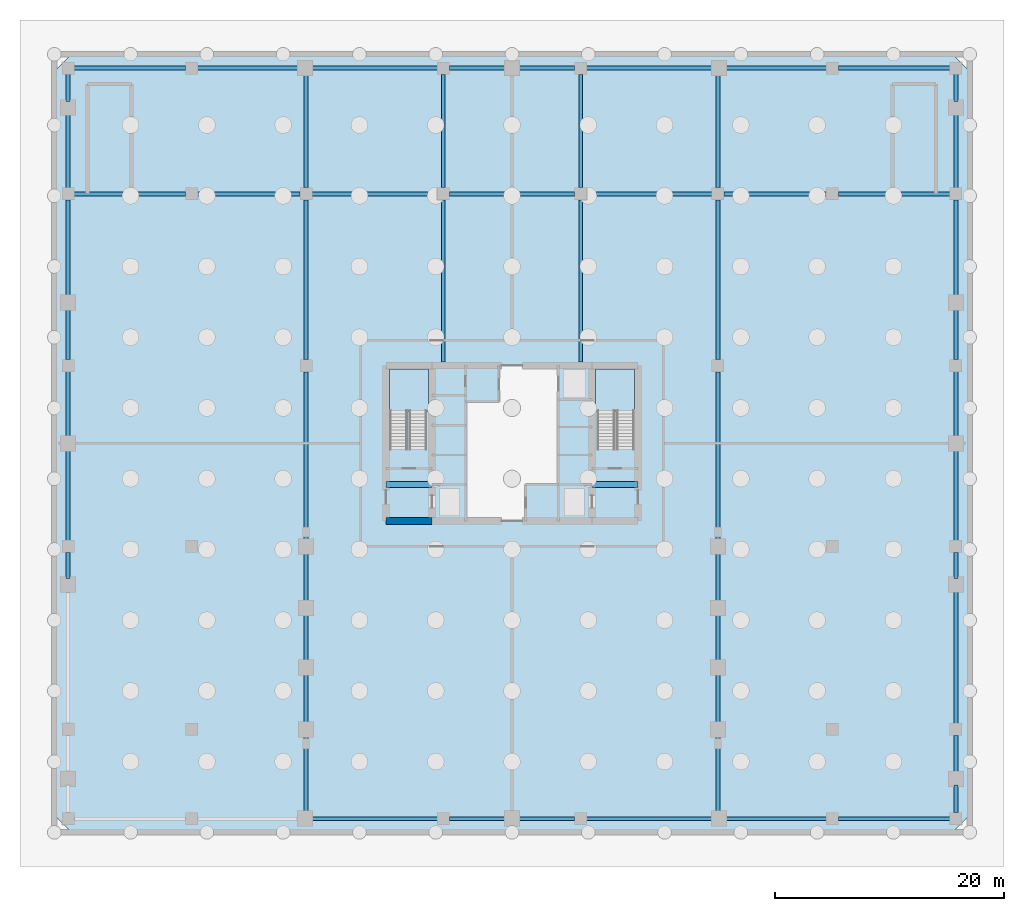
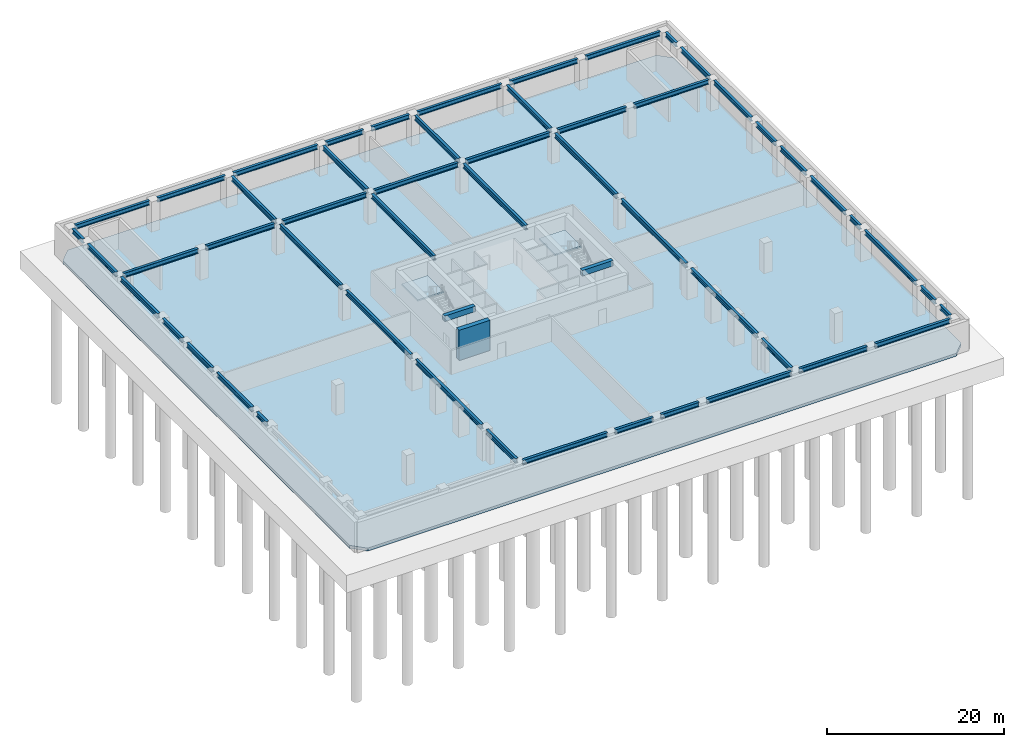
# One storey, part 2 of 8: 54 beams, 3 slabs, 1 wall, 2 elements without a shape of their own.
"""IFC4 building model written with IfcOpenShell, lengths in metres."""

from ifc_helpers import new_model, si_unit, direction, frame, frame_2d, origin, origin_2d, place, context, subcontext, project, spatial, polyline, rectangle, i_section, outline, extrude, material, layer, layer_set, material_profile, profile_set, type_object, element, aggregate, save


model = new_model("IFC4")

# Units and contexts
model_context = context("Model", 3, precision=1e-05, world=origin(), true_north=direction((0.0, 1.0)))
body_context = subcontext(model_context, "Body", "Model", "MODEL_VIEW")
ifc_project = project(units=[si_unit("LENGTHUNIT", "METRE"), si_unit("AREAUNIT", "SQUARE_METRE"), si_unit("VOLUMEUNIT", "CUBIC_METRE"), si_unit("PLANEANGLEUNIT", "RADIAN"), si_unit("MASSUNIT", "GRAM", prefix="KILO")], contexts=[model_context])

# Site, building, storey
site_placement = place(None, origin())
site = spatial("IfcSite", under=ifc_project, at=site_placement, CompositionType="ELEMENT")
building_placement = place(site_placement, origin())
building = spatial("IfcBuilding", under=site, at=building_placement, Name="Sarneth Arch Tower", CompositionType="ELEMENT")
storey_placement = place(building_placement, frame((0.0, 0.0, -9.0)))
storey = spatial("IfcBuildingStorey", under=building, at=storey_placement, Name="B02", CompositionType="ELEMENT", Elevation=-9.0)

# Beams
ifc_material_1 = material(Name="Concrete C50/60", Category="concrete")
ifc_material_profile_1 = material_profile(ifc_material_1, rectangle(XDim=0.5, YDim=0.75, at=origin_2d()), Name="RC-500x750")
ifc_profile_set_1 = profile_set([ifc_material_profile_1], Name="Concrete C50/60")
beam_type_1 = type_object("IfcBeamType", Name="BM-LINTEL-RC", PredefinedType="LINTEL", material=ifc_profile_set_1)
for number, where, z_axis, x_axis, name in (
    (1, (37.0, 38.39990234375, 3.804931640625), (1.0, 0.0, 0.0), (0.0, 1.0, 0.0), "B02 Core coupling lintel W"),
    (2, (55.0, 38.39990234375, 3.804931640625), (1.0, 0.0, 0.0), (0.0, 1.0, 0.0), "B02 Core coupling lintel E"),
):
    element("IfcBeam", number, at=place(storey_placement, frame(where, z_axis=z_axis, x_axis=x_axis)), inside=storey, type_object=beam_type_1, Name=name, PredefinedType="LINTEL", context=body_context, shape_type="SweptSolid", body=[
        extrude(rectangle(XDim=0.5, YDim=0.75, at=origin_2d()), origin(), (0.0, 0.0, 1.0), 4.0),
    ])
ifc_material_2 = material(Name="Steel S355", Category="steel")
ifc_material_profile_2 = material_profile(ifc_material_2, i_section(OverallWidth=0.3291015625, OverallDepth=0.635009765625, WebThickness=0.017822265625, FlangeThickness=0.031005859375, FilletRadius=0.01904296875, at=origin_2d()), Name="W610x241")
ifc_profile_set_2 = profile_set([ifc_material_profile_2], Name="Steel S355")
beam_type_2 = type_object("IfcBeamType", Name="BM-POD-610", PredefinedType="BEAM", material=ifc_profile_set_2)
beam_1_placement = place(storey_placement, frame((9.719970703125, 74.800048828125, 3.862548828125), z_axis=(1.0, 0.0, 0.0), x_axis=(0.0, 1.0, 0.0)))
element("IfcBeam", 3, at=beam_1_placement, inside=storey, type_object=beam_type_2, Name="B02 Podium PN girder 1", PredefinedType="BEAM", context=body_context, shape_type="SweptSolid", body=[
    extrude(i_section(OverallWidth=0.3291015625, OverallDepth=0.635009765625, WebThickness=0.017822265625, FlangeThickness=0.031005859375, FilletRadius=0.01904296875, at=origin_2d()), origin(), (0.0, 0.0, 1.0), 9.760009765625),
])
beam_2_placement = place(storey_placement, frame((20.52001953125, 74.800048828125, 3.862548828125), z_axis=(1.0, 0.0, 0.0), x_axis=(0.0, 1.0, 0.0)))
element("IfcBeam", 4, at=beam_2_placement, inside=storey, type_object=beam_type_2, Name="B02 Podium PN girder 2", PredefinedType="BEAM", context=body_context, shape_type="SweptSolid", body=[
    extrude(i_section(OverallWidth=0.3291015625, OverallDepth=0.635009765625, WebThickness=0.017822265625, FlangeThickness=0.031005859375, FilletRadius=0.01904296875, at=origin_2d()), origin(), (0.0, 0.0, 1.0), 8.87548828125),
])
beam_3_placement = place(storey_placement, frame((30.435546875, 74.800048828125, 3.862548828125), z_axis=(1.0, 0.0, 0.0), x_axis=(0.0, 1.0, 0.0)))
element("IfcBeam", 5, at=beam_3_placement, inside=storey, type_object=beam_type_2, Name="B02 Podium PN girder 3", PredefinedType="BEAM", context=body_context, shape_type="SweptSolid", body=[
    extrude(i_section(OverallWidth=0.3291015625, OverallDepth=0.635009765625, WebThickness=0.017822265625, FlangeThickness=0.031005859375, FilletRadius=0.01904296875, at=origin_2d()), origin(), (0.0, 0.0, 1.0), 11.04443359375),
])
for number, where, z_axis, x_axis, name in (
    (6, (42.52001953125, 74.800048828125, 3.862548828125), (1.0, 0.0, 0.0), (0.0, 1.0, 0.0), "B02 Podium PN girder 4"),
    (7, (48.52001953125, 74.800048828125, 3.862548828125), (1.0, 0.0, 0.0), (0.0, 1.0, 0.0), "B02 Podium PN girder 5"),
):
    element("IfcBeam", number, at=place(storey_placement, frame(where, z_axis=z_axis, x_axis=x_axis)), inside=storey, type_object=beam_type_2, Name=name, PredefinedType="BEAM", context=body_context, shape_type="SweptSolid", body=[
        extrude(i_section(OverallWidth=0.3291015625, OverallDepth=0.635009765625, WebThickness=0.017822265625, FlangeThickness=0.031005859375, FilletRadius=0.01904296875, at=origin_2d()), origin(), (0.0, 0.0, 1.0), 4.9599609375),
    ])
beam_4_placement = place(storey_placement, frame((54.52001953125, 74.800048828125, 3.862548828125), z_axis=(1.0, 0.0, 0.0), x_axis=(0.0, 1.0, 0.0)))
element("IfcBeam", 8, at=beam_4_placement, inside=storey, type_object=beam_type_2, Name="B02 Podium PN girder 6", PredefinedType="BEAM", context=body_context, shape_type="SweptSolid", body=[
    extrude(i_section(OverallWidth=0.3291015625, OverallDepth=0.635009765625, WebThickness=0.017822265625, FlangeThickness=0.031005859375, FilletRadius=0.01904296875, at=origin_2d()), origin(), (0.0, 0.0, 1.0), 11.04443359375),
])
beam_5_placement = place(storey_placement, frame((66.6044921875, 74.800048828125, 3.862548828125), z_axis=(1.0, 0.0, 0.0), x_axis=(0.0, 1.0, 0.0)))
element("IfcBeam", 9, at=beam_5_placement, inside=storey, type_object=beam_type_2, Name="B02 Podium PN girder 7", PredefinedType="BEAM", context=body_context, shape_type="SweptSolid", body=[
    extrude(i_section(OverallWidth=0.3291015625, OverallDepth=0.635009765625, WebThickness=0.017822265625, FlangeThickness=0.031005859375, FilletRadius=0.01904296875, at=origin_2d()), origin(), (0.0, 0.0, 1.0), 8.87548828125),
])
beam_6_placement = place(storey_placement, frame((76.52001953125, 74.800048828125, 3.862548828125), z_axis=(1.0, 0.0, 0.0), x_axis=(0.0, 1.0, 0.0)))
element("IfcBeam", 10, at=beam_6_placement, inside=storey, type_object=beam_type_2, Name="B02 Podium PN girder 8", PredefinedType="BEAM", context=body_context, shape_type="SweptSolid", body=[
    extrude(i_section(OverallWidth=0.3291015625, OverallDepth=0.635009765625, WebThickness=0.017822265625, FlangeThickness=0.031005859375, FilletRadius=0.01904296875, at=origin_2d()), origin(), (0.0, 0.0, 1.0), 9.760009765625),
])
beam_7_placement = place(storey_placement, frame((30.435546875, 9.199951171875, 3.862548828125), z_axis=(1.0, 0.0, 0.0), x_axis=(0.0, 1.0, 0.0)))
element("IfcBeam", 11, at=beam_7_placement, inside=storey, type_object=beam_type_2, Name="B02 Podium PS girder 3", PredefinedType="BEAM", context=body_context, shape_type="SweptSolid", body=[
    extrude(i_section(OverallWidth=0.3291015625, OverallDepth=0.635009765625, WebThickness=0.017822265625, FlangeThickness=0.031005859375, FilletRadius=0.01904296875, at=origin_2d()), origin(), (0.0, 0.0, 1.0), 11.04443359375),
])
for number, where, z_axis, x_axis, name in (
    (12, (42.52001953125, 9.199951171875, 3.862548828125), (1.0, 0.0, 0.0), (0.0, 1.0, 0.0), "B02 Podium PS girder 4"),
    (13, (48.52001953125, 9.199951171875, 3.862548828125), (1.0, 0.0, 0.0), (0.0, 1.0, 0.0), "B02 Podium PS girder 5"),
):
    element("IfcBeam", number, at=place(storey_placement, frame(where, z_axis=z_axis, x_axis=x_axis)), inside=storey, type_object=beam_type_2, Name=name, PredefinedType="BEAM", context=body_context, shape_type="SweptSolid", body=[
        extrude(i_section(OverallWidth=0.3291015625, OverallDepth=0.635009765625, WebThickness=0.017822265625, FlangeThickness=0.031005859375, FilletRadius=0.01904296875, at=origin_2d()), origin(), (0.0, 0.0, 1.0), 4.9599609375),
    ])
beam_8_placement = place(storey_placement, frame((54.52001953125, 9.199951171875, 3.862548828125), z_axis=(1.0, 0.0, 0.0), x_axis=(0.0, 1.0, 0.0)))
element("IfcBeam", 14, at=beam_8_placement, inside=storey, type_object=beam_type_2, Name="B02 Podium PS girder 6", PredefinedType="BEAM", context=body_context, shape_type="SweptSolid", body=[
    extrude(i_section(OverallWidth=0.3291015625, OverallDepth=0.635009765625, WebThickness=0.017822265625, FlangeThickness=0.031005859375, FilletRadius=0.01904296875, at=origin_2d()), origin(), (0.0, 0.0, 1.0), 11.04443359375),
])
beam_9_placement = place(storey_placement, frame((66.6044921875, 9.199951171875, 3.862548828125), z_axis=(1.0, 0.0, 0.0), x_axis=(0.0, 1.0, 0.0)))
element("IfcBeam", 15, at=beam_9_placement, inside=storey, type_object=beam_type_2, Name="B02 Podium PS girder 7", PredefinedType="BEAM", context=body_context, shape_type="SweptSolid", body=[
    extrude(i_section(OverallWidth=0.3291015625, OverallDepth=0.635009765625, WebThickness=0.017822265625, FlangeThickness=0.031005859375, FilletRadius=0.01904296875, at=origin_2d()), origin(), (0.0, 0.0, 1.0), 8.87548828125),
])
for number, where, z_axis, x_axis, name in (
    (16, (76.52001953125, 9.199951171875, 3.862548828125), (1.0, 0.0, 0.0), (0.0, 1.0, 0.0), "B02 Podium PS girder 8"),
    (17, (9.719970703125, 63.800048828125, 3.862548828125), (1.0, 0.0, 0.0), (0.0, 1.0, 0.0), "B02 Podium PC girder 1"),
):
    element("IfcBeam", number, at=place(storey_placement, frame(where, z_axis=z_axis, x_axis=x_axis)), inside=storey, type_object=beam_type_2, Name=name, PredefinedType="BEAM", context=body_context, shape_type="SweptSolid", body=[
        extrude(i_section(OverallWidth=0.3291015625, OverallDepth=0.635009765625, WebThickness=0.017822265625, FlangeThickness=0.031005859375, FilletRadius=0.01904296875, at=origin_2d()), origin(), (0.0, 0.0, 1.0), 9.760009765625),
    ])
beam_10_placement = place(storey_placement, frame((20.52001953125, 63.800048828125, 3.862548828125), z_axis=(1.0, 0.0, 0.0), x_axis=(0.0, 1.0, 0.0)))
element("IfcBeam", 18, at=beam_10_placement, inside=storey, type_object=beam_type_2, Name="B02 Podium PC girder 2", PredefinedType="BEAM", context=body_context, shape_type="SweptSolid", body=[
    extrude(i_section(OverallWidth=0.3291015625, OverallDepth=0.635009765625, WebThickness=0.017822265625, FlangeThickness=0.031005859375, FilletRadius=0.01904296875, at=origin_2d()), origin(), (0.0, 0.0, 1.0), 8.9599609375),
])
for number, where, z_axis, x_axis, name in (
    (19, (30.52001953125, 63.800048828125, 3.862548828125), (1.0, 0.0, 0.0), (0.0, 1.0, 0.0), "B02 Podium PC girder 3"),
    (20, (42.52001953125, 63.800048828125, 3.862548828125), (1.0, 0.0, 0.0), (0.0, 1.0, 0.0), "B02 Podium PC girder 4"),
    (21, (54.52001953125, 63.800048828125, 3.862548828125), (1.0, 0.0, 0.0), (0.0, 1.0, 0.0), "B02 Podium PC girder 5"),
):
    element("IfcBeam", number, at=place(storey_placement, frame(where, z_axis=z_axis, x_axis=x_axis)), inside=storey, type_object=beam_type_2, Name=name, PredefinedType="BEAM", context=body_context, shape_type="SweptSolid", body=[
        extrude(i_section(OverallWidth=0.3291015625, OverallDepth=0.635009765625, WebThickness=0.017822265625, FlangeThickness=0.031005859375, FilletRadius=0.01904296875, at=origin_2d()), origin(), (0.0, 0.0, 1.0), 10.9599609375),
    ])
beam_11_placement = place(storey_placement, frame((66.52001953125, 63.800048828125, 3.862548828125), z_axis=(1.0, 0.0, 0.0), x_axis=(0.0, 1.0, 0.0)))
element("IfcBeam", 22, at=beam_11_placement, inside=storey, type_object=beam_type_2, Name="B02 Podium PC girder 6", PredefinedType="BEAM", context=body_context, shape_type="SweptSolid", body=[
    extrude(i_section(OverallWidth=0.3291015625, OverallDepth=0.635009765625, WebThickness=0.017822265625, FlangeThickness=0.031005859375, FilletRadius=0.01904296875, at=origin_2d()), origin(), (0.0, 0.0, 1.0), 8.9599609375),
])
beam_12_placement = place(storey_placement, frame((76.52001953125, 63.800048828125, 3.862548828125), z_axis=(1.0, 0.0, 0.0), x_axis=(0.0, 1.0, 0.0)))
element("IfcBeam", 23, at=beam_12_placement, inside=storey, type_object=beam_type_2, Name="B02 Podium PC girder 7", PredefinedType="BEAM", context=body_context, shape_type="SweptSolid", body=[
    extrude(i_section(OverallWidth=0.3291015625, OverallDepth=0.635009765625, WebThickness=0.017822265625, FlangeThickness=0.031005859375, FilletRadius=0.01904296875, at=origin_2d()), origin(), (0.0, 0.0, 1.0), 9.760009765625),
])
beam_13_placement = place(storey_placement, frame((9.199951171875, 30.2021484375, 3.862548828125), z_axis=(0.0, 1.0, 0.0), x_axis=(-1.0, 0.0, 0.0)))
element("IfcBeam", 24, at=beam_13_placement, inside=storey, type_object=beam_type_2, Name="B02 Podium PW girder 4", PredefinedType="BEAM", context=body_context, shape_type="SweptSolid", body=[
    extrude(i_section(OverallWidth=0.3291015625, OverallDepth=0.635009765625, WebThickness=0.017822265625, FlangeThickness=0.031005859375, FilletRadius=0.01904296875, at=origin_2d()), origin(), (0.0, 0.0, 1.0), 2.27783203125),
])
beam_14_placement = place(storey_placement, frame((9.199951171875, 33.52001953125, 3.862548828125), z_axis=(0.0, 1.0, 0.0), x_axis=(-1.0, 0.0, 0.0)))
element("IfcBeam", 25, at=beam_14_placement, inside=storey, type_object=beam_type_2, Name="B02 Podium PW girder 5", PredefinedType="BEAM", context=body_context, shape_type="SweptSolid", body=[
    extrude(i_section(OverallWidth=0.3291015625, OverallDepth=0.635009765625, WebThickness=0.017822265625, FlangeThickness=0.031005859375, FilletRadius=0.01904296875, at=origin_2d()), origin(), (0.0, 0.0, 1.0), 7.9599609375),
])
beam_15_placement = place(storey_placement, frame((9.199951171875, 42.52001953125, 3.862548828125), z_axis=(0.0, 1.0, 0.0), x_axis=(-1.0, 0.0, 0.0)))
element("IfcBeam", 26, at=beam_15_placement, inside=storey, type_object=beam_type_2, Name="B02 Podium PW girder 6", PredefinedType="BEAM", context=body_context, shape_type="SweptSolid", body=[
    extrude(i_section(OverallWidth=0.3291015625, OverallDepth=0.635009765625, WebThickness=0.017822265625, FlangeThickness=0.031005859375, FilletRadius=0.01904296875, at=origin_2d()), origin(), (0.0, 0.0, 1.0), 5.760009765625),
])
beam_16_placement = place(storey_placement, frame((9.199951171875, 49.320068359375, 3.862548828125), z_axis=(0.0, 1.0, 0.0), x_axis=(-1.0, 0.0, 0.0)))
element("IfcBeam", 27, at=beam_16_placement, inside=storey, type_object=beam_type_2, Name="B02 Podium PW girder 7", PredefinedType="BEAM", context=body_context, shape_type="SweptSolid", body=[
    extrude(i_section(OverallWidth=0.3291015625, OverallDepth=0.635009765625, WebThickness=0.017822265625, FlangeThickness=0.031005859375, FilletRadius=0.01904296875, at=origin_2d()), origin(), (0.0, 0.0, 1.0), 4.477783203125),
])
beam_17_placement = place(storey_placement, frame((9.199951171875, 54.837890625, 3.862548828125), z_axis=(0.0, 1.0, 0.0), x_axis=(-1.0, 0.0, 0.0)))
element("IfcBeam", 28, at=beam_17_placement, inside=storey, type_object=beam_type_2, Name="B02 Podium PW girder 8", PredefinedType="BEAM", context=body_context, shape_type="SweptSolid", body=[
    extrude(i_section(OverallWidth=0.3291015625, OverallDepth=0.635009765625, WebThickness=0.017822265625, FlangeThickness=0.031005859375, FilletRadius=0.01904296875, at=origin_2d()), origin(), (0.0, 0.0, 1.0), 8.442138671875),
])
beam_18_placement = place(storey_placement, frame((9.199951171875, 64.320068359375, 3.862548828125), z_axis=(0.0, 1.0, 0.0), x_axis=(-1.0, 0.0, 0.0)))
element("IfcBeam", 29, at=beam_18_placement, inside=storey, type_object=beam_type_2, Name="B02 Podium PW girder 9", PredefinedType="BEAM", context=body_context, shape_type="SweptSolid", body=[
    extrude(i_section(OverallWidth=0.3291015625, OverallDepth=0.635009765625, WebThickness=0.017822265625, FlangeThickness=0.031005859375, FilletRadius=0.01904296875, at=origin_2d()), origin(), (0.0, 0.0, 1.0), 6.49658203125),
])
for number, where, z_axis, x_axis, name in (
    (30, (9.199951171875, 71.856689453125, 3.862548828125), (0.0, 1.0, 0.0), (-1.0, 0.0, 0.0), "B02 Podium PW girder 10"),
    (31, (86.800048828125, 9.719970703125, 3.862548828125), (0.0, 1.0, 0.0), (-1.0, 0.0, 0.0), "B02 Podium PE girder 1"),
):
    element("IfcBeam", number, at=place(storey_placement, frame(where, z_axis=z_axis, x_axis=x_axis)), inside=storey, type_object=beam_type_2, Name=name, PredefinedType="BEAM", context=body_context, shape_type="SweptSolid", body=[
        extrude(i_section(OverallWidth=0.3291015625, OverallDepth=0.635009765625, WebThickness=0.017822265625, FlangeThickness=0.031005859375, FilletRadius=0.01904296875, at=origin_2d()), origin(), (0.0, 0.0, 1.0), 2.42333984375),
    ])
beam_19_placement = place(storey_placement, frame((86.800048828125, 13.183349609375, 3.862548828125), z_axis=(0.0, 1.0, 0.0), x_axis=(-1.0, 0.0, 0.0)))
element("IfcBeam", 32, at=beam_19_placement, inside=storey, type_object=beam_type_2, Name="B02 Podium PE girder 2", PredefinedType="BEAM", context=body_context, shape_type="SweptSolid", body=[
    extrude(i_section(OverallWidth=0.3291015625, OverallDepth=0.635009765625, WebThickness=0.017822265625, FlangeThickness=0.031005859375, FilletRadius=0.01904296875, at=origin_2d()), origin(), (0.0, 0.0, 1.0), 3.296630859375),
])
beam_20_placement = place(storey_placement, frame((86.800048828125, 17.52001953125, 3.862548828125), z_axis=(0.0, 1.0, 0.0), x_axis=(-1.0, 0.0, 0.0)))
element("IfcBeam", 33, at=beam_20_placement, inside=storey, type_object=beam_type_2, Name="B02 Podium PE girder 3", PredefinedType="BEAM", context=body_context, shape_type="SweptSolid", body=[
    extrude(i_section(OverallWidth=0.3291015625, OverallDepth=0.635009765625, WebThickness=0.017822265625, FlangeThickness=0.031005859375, FilletRadius=0.01904296875, at=origin_2d()), origin(), (0.0, 0.0, 1.0), 11.64208984375),
])
beam_21_placement = place(storey_placement, frame((86.800048828125, 30.2021484375, 3.862548828125), z_axis=(0.0, 1.0, 0.0), x_axis=(-1.0, 0.0, 0.0)))
element("IfcBeam", 34, at=beam_21_placement, inside=storey, type_object=beam_type_2, Name="B02 Podium PE girder 4", PredefinedType="BEAM", context=body_context, shape_type="SweptSolid", body=[
    extrude(i_section(OverallWidth=0.3291015625, OverallDepth=0.635009765625, WebThickness=0.017822265625, FlangeThickness=0.031005859375, FilletRadius=0.01904296875, at=origin_2d()), origin(), (0.0, 0.0, 1.0), 2.27783203125),
])
beam_22_placement = place(storey_placement, frame((86.800048828125, 33.52001953125, 3.862548828125), z_axis=(0.0, 1.0, 0.0), x_axis=(-1.0, 0.0, 0.0)))
element("IfcBeam", 35, at=beam_22_placement, inside=storey, type_object=beam_type_2, Name="B02 Podium PE girder 5", PredefinedType="BEAM", context=body_context, shape_type="SweptSolid", body=[
    extrude(i_section(OverallWidth=0.3291015625, OverallDepth=0.635009765625, WebThickness=0.017822265625, FlangeThickness=0.031005859375, FilletRadius=0.01904296875, at=origin_2d()), origin(), (0.0, 0.0, 1.0), 7.9599609375),
])
beam_23_placement = place(storey_placement, frame((86.800048828125, 42.52001953125, 3.862548828125), z_axis=(0.0, 1.0, 0.0), x_axis=(-1.0, 0.0, 0.0)))
element("IfcBeam", 36, at=beam_23_placement, inside=storey, type_object=beam_type_2, Name="B02 Podium PE girder 6", PredefinedType="BEAM", context=body_context, shape_type="SweptSolid", body=[
    extrude(i_section(OverallWidth=0.3291015625, OverallDepth=0.635009765625, WebThickness=0.017822265625, FlangeThickness=0.031005859375, FilletRadius=0.01904296875, at=origin_2d()), origin(), (0.0, 0.0, 1.0), 5.760009765625),
])
beam_24_placement = place(storey_placement, frame((86.800048828125, 49.320068359375, 3.862548828125), z_axis=(0.0, 1.0, 0.0), x_axis=(-1.0, 0.0, 0.0)))
element("IfcBeam", 37, at=beam_24_placement, inside=storey, type_object=beam_type_2, Name="B02 Podium PE girder 7", PredefinedType="BEAM", context=body_context, shape_type="SweptSolid", body=[
    extrude(i_section(OverallWidth=0.3291015625, OverallDepth=0.635009765625, WebThickness=0.017822265625, FlangeThickness=0.031005859375, FilletRadius=0.01904296875, at=origin_2d()), origin(), (0.0, 0.0, 1.0), 4.477783203125),
])
beam_25_placement = place(storey_placement, frame((86.800048828125, 54.837890625, 3.862548828125), z_axis=(0.0, 1.0, 0.0), x_axis=(-1.0, 0.0, 0.0)))
element("IfcBeam", 38, at=beam_25_placement, inside=storey, type_object=beam_type_2, Name="B02 Podium PE girder 8", PredefinedType="BEAM", context=body_context, shape_type="SweptSolid", body=[
    extrude(i_section(OverallWidth=0.3291015625, OverallDepth=0.635009765625, WebThickness=0.017822265625, FlangeThickness=0.031005859375, FilletRadius=0.01904296875, at=origin_2d()), origin(), (0.0, 0.0, 1.0), 8.442138671875),
])
beam_26_placement = place(storey_placement, frame((86.800048828125, 64.320068359375, 3.862548828125), z_axis=(0.0, 1.0, 0.0), x_axis=(-1.0, 0.0, 0.0)))
element("IfcBeam", 39, at=beam_26_placement, inside=storey, type_object=beam_type_2, Name="B02 Podium PE girder 9", PredefinedType="BEAM", context=body_context, shape_type="SweptSolid", body=[
    extrude(i_section(OverallWidth=0.3291015625, OverallDepth=0.635009765625, WebThickness=0.017822265625, FlangeThickness=0.031005859375, FilletRadius=0.01904296875, at=origin_2d()), origin(), (0.0, 0.0, 1.0), 6.49658203125),
])
beam_27_placement = place(storey_placement, frame((86.800048828125, 71.856689453125, 3.862548828125), z_axis=(0.0, 1.0, 0.0), x_axis=(-1.0, 0.0, 0.0)))
element("IfcBeam", 40, at=beam_27_placement, inside=storey, type_object=beam_type_2, Name="B02 Podium PE girder 10", PredefinedType="BEAM", context=body_context, shape_type="SweptSolid", body=[
    extrude(i_section(OverallWidth=0.3291015625, OverallDepth=0.635009765625, WebThickness=0.017822265625, FlangeThickness=0.031005859375, FilletRadius=0.01904296875, at=origin_2d()), origin(), (0.0, 0.0, 1.0), 2.42333984375),
])
beam_28_placement = place(storey_placement, frame((30.0, 9.75, 3.862548828125), z_axis=(0.0, 1.0, 0.0), x_axis=(-1.0, 0.0, 0.0)))
element("IfcBeam", 41, at=beam_28_placement, inside=storey, type_object=beam_type_2, Name="B02 Podium N-S girder W30.1", PredefinedType="BEAM", context=body_context, shape_type="SweptSolid", body=[
    extrude(i_section(OverallWidth=0.3291015625, OverallDepth=0.635009765625, WebThickness=0.017822265625, FlangeThickness=0.031005859375, FilletRadius=0.01904296875, at=origin_2d()), origin(), (0.0, 0.0, 1.0), 6.699951171875),
])
beam_29_placement = place(storey_placement, frame((30.0, 17.550048828125, 3.862548828125), z_axis=(0.0, 1.0, 0.0), x_axis=(-1.0, 0.0, 0.0)))
element("IfcBeam", 42, at=beam_29_placement, inside=storey, type_object=beam_type_2, Name="B02 Podium N-S girder W30.2", PredefinedType="BEAM", context=body_context, shape_type="SweptSolid", body=[
    extrude(i_section(OverallWidth=0.3291015625, OverallDepth=0.635009765625, WebThickness=0.017822265625, FlangeThickness=0.031005859375, FilletRadius=0.01904296875, at=origin_2d()), origin(), (0.0, 0.0, 1.0), 14.89990234375),
])
beam_30_placement = place(storey_placement, frame((30.0, 33.550048828125, 3.862548828125), z_axis=(0.0, 1.0, 0.0), x_axis=(-1.0, 0.0, 0.0)))
element("IfcBeam", 43, at=beam_30_placement, inside=storey, type_object=beam_type_2, Name="B02 Podium N-S girder W30.3", PredefinedType="BEAM", context=body_context, shape_type="SweptSolid", body=[
    extrude(i_section(OverallWidth=0.3291015625, OverallDepth=0.635009765625, WebThickness=0.017822265625, FlangeThickness=0.031005859375, FilletRadius=0.01904296875, at=origin_2d()), origin(), (0.0, 0.0, 1.0), 14.699951171875),
])
beam_31_placement = place(storey_placement, frame((30.0, 49.35009765625, 3.862548828125), z_axis=(0.0, 1.0, 0.0), x_axis=(-1.0, 0.0, 0.0)))
element("IfcBeam", 44, at=beam_31_placement, inside=storey, type_object=beam_type_2, Name="B02 Podium N-S girder W30.4", PredefinedType="BEAM", context=body_context, shape_type="SweptSolid", body=[
    extrude(i_section(OverallWidth=0.3291015625, OverallDepth=0.635009765625, WebThickness=0.017822265625, FlangeThickness=0.031005859375, FilletRadius=0.01904296875, at=origin_2d()), origin(), (0.0, 0.0, 1.0), 13.89990234375),
])
beam_32_placement = place(storey_placement, frame((30.0, 64.35009765625, 3.862548828125), z_axis=(0.0, 1.0, 0.0), x_axis=(-1.0, 0.0, 0.0)))
element("IfcBeam", 45, at=beam_32_placement, inside=storey, type_object=beam_type_2, Name="B02 Podium N-S girder W30.5", PredefinedType="BEAM", context=body_context, shape_type="SweptSolid", body=[
    extrude(i_section(OverallWidth=0.3291015625, OverallDepth=0.635009765625, WebThickness=0.017822265625, FlangeThickness=0.031005859375, FilletRadius=0.01904296875, at=origin_2d()), origin(), (0.0, 0.0, 1.0), 9.89990234375),
])
beam_33_placement = place(storey_placement, frame((66.0, 9.75, 3.862548828125), z_axis=(0.0, 1.0, 0.0), x_axis=(-1.0, 0.0, 0.0)))
element("IfcBeam", 46, at=beam_33_placement, inside=storey, type_object=beam_type_2, Name="B02 Podium N-S girder E66.1", PredefinedType="BEAM", context=body_context, shape_type="SweptSolid", body=[
    extrude(i_section(OverallWidth=0.3291015625, OverallDepth=0.635009765625, WebThickness=0.017822265625, FlangeThickness=0.031005859375, FilletRadius=0.01904296875, at=origin_2d()), origin(), (0.0, 0.0, 1.0), 6.699951171875),
])
beam_34_placement = place(storey_placement, frame((66.0, 17.550048828125, 3.862548828125), z_axis=(0.0, 1.0, 0.0), x_axis=(-1.0, 0.0, 0.0)))
element("IfcBeam", 47, at=beam_34_placement, inside=storey, type_object=beam_type_2, Name="B02 Podium N-S girder E66.2", PredefinedType="BEAM", context=body_context, shape_type="SweptSolid", body=[
    extrude(i_section(OverallWidth=0.3291015625, OverallDepth=0.635009765625, WebThickness=0.017822265625, FlangeThickness=0.031005859375, FilletRadius=0.01904296875, at=origin_2d()), origin(), (0.0, 0.0, 1.0), 14.89990234375),
])
beam_35_placement = place(storey_placement, frame((66.0, 33.550048828125, 3.862548828125), z_axis=(0.0, 1.0, 0.0), x_axis=(-1.0, 0.0, 0.0)))
element("IfcBeam", 48, at=beam_35_placement, inside=storey, type_object=beam_type_2, Name="B02 Podium N-S girder E66.3", PredefinedType="BEAM", context=body_context, shape_type="SweptSolid", body=[
    extrude(i_section(OverallWidth=0.3291015625, OverallDepth=0.635009765625, WebThickness=0.017822265625, FlangeThickness=0.031005859375, FilletRadius=0.01904296875, at=origin_2d()), origin(), (0.0, 0.0, 1.0), 14.699951171875),
])
beam_36_placement = place(storey_placement, frame((66.0, 49.35009765625, 3.862548828125), z_axis=(0.0, 1.0, 0.0), x_axis=(-1.0, 0.0, 0.0)))
element("IfcBeam", 49, at=beam_36_placement, inside=storey, type_object=beam_type_2, Name="B02 Podium N-S girder E66.4", PredefinedType="BEAM", context=body_context, shape_type="SweptSolid", body=[
    extrude(i_section(OverallWidth=0.3291015625, OverallDepth=0.635009765625, WebThickness=0.017822265625, FlangeThickness=0.031005859375, FilletRadius=0.01904296875, at=origin_2d()), origin(), (0.0, 0.0, 1.0), 13.89990234375),
])
beam_37_placement = place(storey_placement, frame((66.0, 64.35009765625, 3.862548828125), z_axis=(0.0, 1.0, 0.0), x_axis=(-1.0, 0.0, 0.0)))
element("IfcBeam", 50, at=beam_37_placement, inside=storey, type_object=beam_type_2, Name="B02 Podium N-S girder E66.5", PredefinedType="BEAM", context=body_context, shape_type="SweptSolid", body=[
    extrude(i_section(OverallWidth=0.3291015625, OverallDepth=0.635009765625, WebThickness=0.017822265625, FlangeThickness=0.031005859375, FilletRadius=0.01904296875, at=origin_2d()), origin(), (0.0, 0.0, 1.0), 9.89990234375),
])
beam_38_placement = place(storey_placement, frame((42.0, 49.10009765625, 3.862548828125), z_axis=(0.0, 1.0, 0.0), x_axis=(-1.0, 0.0, 0.0)))
element("IfcBeam", 51, at=beam_38_placement, inside=storey, type_object=beam_type_2, Name="B02 Core-north girder C42.1", PredefinedType="BEAM", context=body_context, shape_type="SweptSolid", body=[
    extrude(i_section(OverallWidth=0.3291015625, OverallDepth=0.635009765625, WebThickness=0.017822265625, FlangeThickness=0.031005859375, FilletRadius=0.01904296875, at=origin_2d()), origin(), (0.0, 0.0, 1.0), 14.14990234375),
])
beam_39_placement = place(storey_placement, frame((42.0, 64.35009765625, 3.862548828125), z_axis=(0.0, 1.0, 0.0), x_axis=(-1.0, 0.0, 0.0)))
element("IfcBeam", 52, at=beam_39_placement, inside=storey, type_object=beam_type_2, Name="B02 North bay girder C42.2", PredefinedType="BEAM", context=body_context, shape_type="SweptSolid", body=[
    extrude(i_section(OverallWidth=0.3291015625, OverallDepth=0.635009765625, WebThickness=0.017822265625, FlangeThickness=0.031005859375, FilletRadius=0.01904296875, at=origin_2d()), origin(), (0.0, 0.0, 1.0), 9.89990234375),
])
beam_40_placement = place(storey_placement, frame((54.0, 49.10009765625, 3.862548828125), z_axis=(0.0, 1.0, 0.0), x_axis=(-1.0, 0.0, 0.0)))
element("IfcBeam", 53, at=beam_40_placement, inside=storey, type_object=beam_type_2, Name="B02 Core-north girder C54.1", PredefinedType="BEAM", context=body_context, shape_type="SweptSolid", body=[
    extrude(i_section(OverallWidth=0.3291015625, OverallDepth=0.635009765625, WebThickness=0.017822265625, FlangeThickness=0.031005859375, FilletRadius=0.01904296875, at=origin_2d()), origin(), (0.0, 0.0, 1.0), 14.14990234375),
])
beam_41_placement = place(storey_placement, frame((54.0, 64.35009765625, 3.862548828125), z_axis=(0.0, 1.0, 0.0), x_axis=(-1.0, 0.0, 0.0)))
element("IfcBeam", 54, at=beam_41_placement, inside=storey, type_object=beam_type_2, Name="B02 North bay girder C54.2", PredefinedType="BEAM", context=body_context, shape_type="SweptSolid", body=[
    extrude(i_section(OverallWidth=0.3291015625, OverallDepth=0.635009765625, WebThickness=0.017822265625, FlangeThickness=0.031005859375, FilletRadius=0.01904296875, at=origin_2d()), origin(), (0.0, 0.0, 1.0), 9.89990234375),
])

# Slab
ifc_material_3 = material(Name="Concrete C60/75", Category="concrete")
ifc_layer_1 = layer(ifc_material_3, 0.39990234375)
ifc_layer_set_1 = layer_set([ifc_layer_1], Name="Concrete C60/75")
slab_type_1 = type_object("IfcSlabType", Name="SLAB-BASE-400", PredefinedType="BASESLAB", material=ifc_layer_set_1)
slab_1_placement = place(storey_placement, frame((0.0, 0.0, -0.39990234375)))
element("IfcSlab", 55, at=slab_1_placement, inside=storey, type_object=slab_type_1, Name="B02 Basement base slab", PredefinedType="BASESLAB", context=body_context, shape_type="SweptSolid", body=[
    extrude(outline(polyline([(9.5, 8.0), (86.5, 8.0), (88.0, 9.5), (88.0, 74.5), (86.5, 76.0), (9.5, 76.0), (8.0, 74.5), (8.0, 9.5), (9.5, 8.0)])), origin(), (0.0, 0.0, 1.0), 0.39990234375),
])

# Stair, slab
ifc_material_4 = material(Name="Concrete C50/60", Category="concrete")
stair_type = type_object("IfcStairType", Name="STAIR-CORE-RC", PredefinedType="HALF_TURN_STAIR", material=ifc_material_4)
stair_1_placement = place(storey_placement, origin())
stair_1 = element("IfcStair", 56, at=stair_1_placement, inside=storey, type_object=stair_type, Name="B02 Core Exit Stair 1", PredefinedType="HALF_TURN_STAIR")
ifc_material_5 = material(Name="Concrete C50/60", Category="concrete")
ifc_layer_2 = layer(ifc_material_5, 0.199951171875)
ifc_layer_set_2 = layer_set([ifc_layer_2], Name="Concrete C50/60")
slab_type_2 = type_object("IfcSlabType", Name="SLAB-LANDING-200", PredefinedType="LANDING", material=ifc_layer_set_2)
slab_2_placement = place(storey_placement, frame((0.0, 0.0, 2.050048828125)))
slab_2 = element("IfcSlab", 57, at=slab_2_placement, type_object=slab_type_2, Name="ST-1 landing 1", PredefinedType="LANDING", context=body_context, shape_type="SweptSolid", body=[
    extrude(outline(polyline([(37.300048828125, 44.840087890625), (40.699951171875, 44.840087890625), (40.699951171875, 48.5), (37.300048828125, 48.5), (37.300048828125, 44.840087890625)])), origin(), (0.0, 0.0, 1.0), 0.199951171875),
])
aggregate(stair_1, [slab_2])

stair_2_placement = place(storey_placement, origin())
stair_2 = element("IfcStair", 58, at=stair_2_placement, inside=storey, type_object=stair_type, Name="B02 Core Exit Stair 2", PredefinedType="HALF_TURN_STAIR")
slab_3_placement = place(storey_placement, frame((0.0, 0.0, 2.050048828125)))
slab_3 = element("IfcSlab", 59, at=slab_3_placement, type_object=slab_type_2, Name="ST-2 landing 1", PredefinedType="LANDING", context=body_context, shape_type="SweptSolid", body=[
    extrude(outline(polyline([(55.300048828125, 44.840087890625), (58.699951171875, 44.840087890625), (58.699951171875, 48.5), (55.300048828125, 48.5), (55.300048828125, 44.840087890625)])), origin(), (0.0, 0.0, 1.0), 0.199951171875),
])
aggregate(stair_2, [slab_3])

# Wall
ifc_material_6 = material(Name="Concrete C60/75", Category="concrete")
ifc_layer_3 = layer(ifc_material_6, 0.60009765625)
ifc_layer_set_3 = layer_set([ifc_layer_3], Name="Concrete C60/75")
wall_type = type_object("IfcWallType", Name="WALL-CORE-600", PredefinedType="SHEAR", material=ifc_layer_set_3)
wall_placement = place(storey_placement, frame((37.0, 35.199951171875, 0.0), z_axis=(0.0, 0.0, 1.0), x_axis=(1.0, 0.0, 0.0)))
element("IfcWall", 60, at=wall_placement, inside=storey, type_object=wall_type, Name="B02 Core shear wall S-W", PredefinedType="SHEAR", context=body_context, shape_type="SweptSolid", body=[
    extrude(rectangle(XDim=4.0, YDim=0.60009765625, at=frame_2d((2.0, 0.0))), origin(), (0.0, 0.0, 1.0), 4.179931640625),
])

save(model, "model.ifc")
